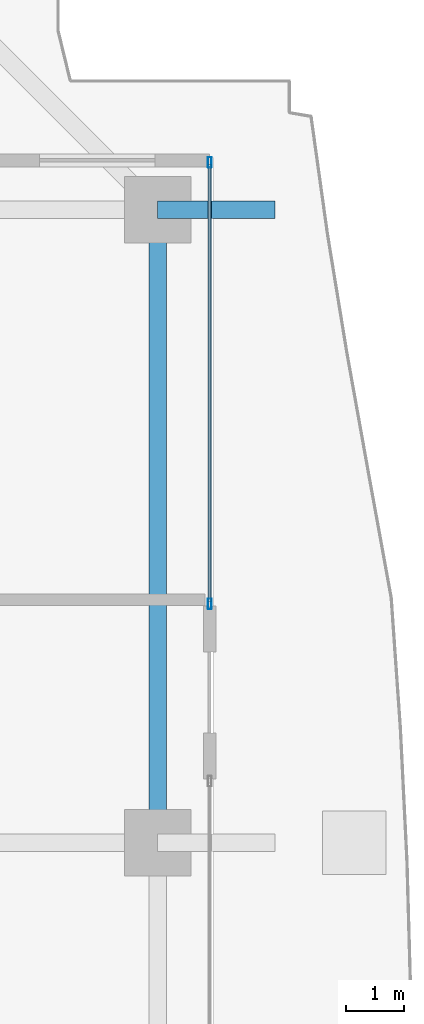
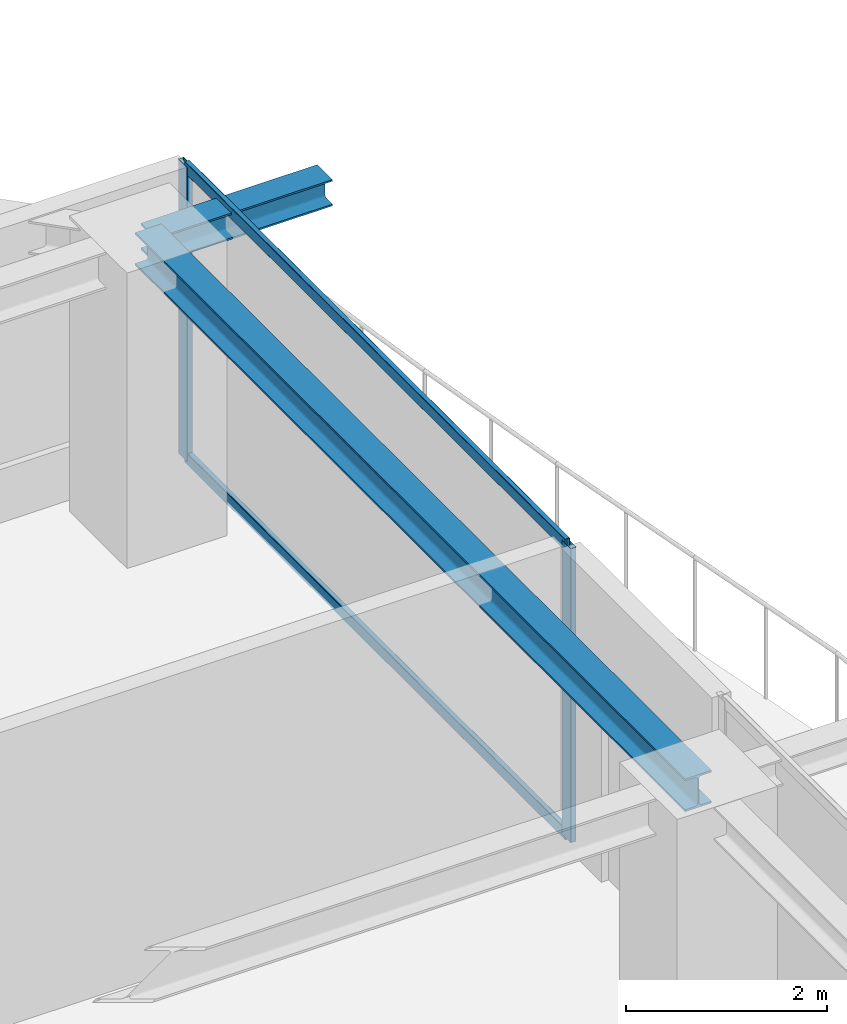
# One storey, part 23 of 37: 4 members, 2 beams, 1 element without a shape of its own.
"""IFC4 building model written with IfcOpenShell, lengths in metres."""

from ifc_helpers import new_model, si_unit, direction, frame, origin, origin_2d, place, context, subcontext, project, spatial, hollow_rectangle, i_section, extrude, source, transform, mapped, material, layer, layer_set, material_profile, profile_set, type_object, element, aggregate, save


model = new_model("IFC4")

# Units and contexts
model_context = context("Model", 3, precision=1e-05, world=origin(), true_north=direction((0.0, 1.0)))
body_context = subcontext(model_context, "Body", "Model", "MODEL_VIEW")
ifc_project = project(units=[si_unit("LENGTHUNIT", "METRE"), si_unit("AREAUNIT", "SQUARE_METRE"), si_unit("VOLUMEUNIT", "CUBIC_METRE"), si_unit("PLANEANGLEUNIT", "RADIAN"), si_unit("MASSUNIT", "GRAM", prefix="KILO")], contexts=[model_context])

# Site, building, storey
site_placement = place(None, origin())
site = spatial("IfcSite", under=ifc_project, at=site_placement, CompositionType="ELEMENT")
building_placement = place(site_placement, origin())
building = spatial("IfcBuilding", under=site, at=building_placement, Name="Serunith Strait Residences", CompositionType="ELEMENT")
storey_placement = place(building_placement, frame((0.0, 0.0, 279.75)))
storey = spatial("IfcBuildingStorey", under=building, at=storey_placement, Name="L70", CompositionType="ELEMENT", Elevation=279.75)

# Beams
ifc_material_1 = material(Name="Steel S355J2", Category="steel")
ifc_material_profile_1 = material_profile(ifc_material_1, i_section(OverallWidth=0.300048828125, OverallDepth=0.39990234375, WebThickness=0.013427734375, FlangeThickness=0.02392578125, FilletRadius=0.027099609375, at=origin_2d()), Name="HEB 400")
ifc_profile_set_1 = profile_set([ifc_material_profile_1], Name="Steel S355J2")
beam_type_1 = type_object("IfcBeamType", Name="BM-HEB400", PredefinedType="BEAM", material=ifc_profile_set_1)
shared_shape_1 = source(origin(), body_context, "Body", "SweptSolid", [
    extrude(i_section(OverallWidth=0.300048828125, OverallDepth=0.39990234375, WebThickness=0.013427734375, FlangeThickness=0.02392578125, FilletRadius=0.027099609375, at=origin_2d()), origin(), (0.0, 0.0, 1.0), 10.9501953125),
])
beam_1_placement = place(storey_placement, frame((56.5, 29.39990234375, 3.386962890625), z_axis=(0.0, 1.0, 0.0), x_axis=(-1.0, 0.0, 0.0)))
element("IfcBeam", 1, at=beam_1_placement, inside=storey, type_object=beam_type_1, Name="L70 Perimeter Ring Beam 07", PredefinedType="BEAM", context=body_context, shape_type="MappedRepresentation", body=[
    mapped(shared_shape_1, transform((0.0, 0.0, 0.0), scale=1.0)),
])
ifc_material_profile_2 = material_profile(ifc_material_1, i_section(OverallWidth=0.300048828125, OverallDepth=0.320068359375, WebThickness=0.011474609375, FlangeThickness=0.0205078125, FilletRadius=0.027099609375, at=origin_2d()), Name="HEB 320")
ifc_profile_set_2 = profile_set([ifc_material_profile_2], Name="Steel S355J2")
beam_type_2 = type_object("IfcBeamType", Name="BM-HEB320", PredefinedType="BEAM", material=ifc_profile_set_2)
shared_shape_2 = source(origin(), body_context, "Body", "SweptSolid", [
    extrude(i_section(OverallWidth=0.300048828125, OverallDepth=0.320068359375, WebThickness=0.011474609375, FlangeThickness=0.0205078125, FilletRadius=0.027099609375, at=origin_2d()), origin(), (0.0, 0.0, 1.0), 2.030029296875),
])
beam_2_placement = place(storey_placement, frame((56.5, 40.35009765625, 3.39697265625), z_axis=(1.0, 0.0, 0.0), x_axis=(0.0, 1.0, 0.0)))
element("IfcBeam", 2, at=beam_2_placement, inside=storey, type_object=beam_type_2, Name="L71 Cantilevered Balcony Rib TC-E4", PredefinedType="BEAM", context=body_context, shape_type="MappedRepresentation", body=[
    mapped(shared_shape_2, transform((0.0, 0.0, 0.0), scale=1.0)),
])

# Curtain wall, members
ifc_material_2 = material(Name="Pale-Champagne Anodised Aluminium", Category="aluminium")
ifc_layer = layer(ifc_material_2, 0.199951171875, Name="Pale-Champagne Anodised Aluminium")
ifc_layer_set = layer_set([ifc_layer], Name="Pale-Champagne Anodised Aluminium")
curtain_wall_type = type_object("IfcCurtainWallType", Name="CW-SYS4", PredefinedType="NOTDEFINED", material=ifc_layer_set)
curtain_wall_placement = place(storey_placement, origin())
curtain_wall = element("IfcCurtainWall", 3, at=curtain_wall_placement, inside=storey, type_object=curtain_wall_type, Name="L70 E Unitised Fritted Curtain Wall", PredefinedType="NOTDEFINED")
ifc_material_profile_3 = material_profile(ifc_material_2, hollow_rectangle(XDim=0.06494140625, YDim=0.179931640625, WallThickness=0.00341796875, InnerFilletRadius=0.00537109375, OuterFilletRadius=0.0087890625, at=origin_2d()), Name="ALU 180x65x3.5")
ifc_profile_set_3 = profile_set([ifc_material_profile_3], Name="Pale-Champagne Anodised Aluminium")
member_type_1 = type_object("IfcMemberType", Name="CW-SYS4-MULL", PredefinedType="MULLION", material=ifc_profile_set_3)
shared_shape_3 = source(origin(), body_context, "Body", "SweptSolid", [
    extrude(hollow_rectangle(XDim=0.06494140625, YDim=0.179931640625, WallThickness=0.00341796875, InnerFilletRadius=0.00537109375, OuterFilletRadius=0.0087890625, at=origin_2d()), origin(), (0.0, 0.0, 1.0), 3.574951171875),
])
member_1_placement = place(storey_placement, frame((57.39990234375, 33.532470703125, 0.0), z_axis=(0.0, 0.0, 1.0), x_axis=(-1.0, 0.0, 0.0)))
member_1 = element("IfcMember", 4, at=member_1_placement, type_object=member_type_1, Name="CW-4 mullion 1", PredefinedType="MULLION", context=body_context, shape_type="MappedRepresentation", body=[
    mapped(shared_shape_3, transform((0.0, 0.0, 0.0), scale=1.0)),
])
member_2_placement = place(storey_placement, frame((57.39990234375, 41.16748046875, 0.0), z_axis=(0.0, 0.0, 1.0), x_axis=(-1.0, 0.0, 0.0)))
member_2 = element("IfcMember", 5, at=member_2_placement, type_object=member_type_1, Name="CW-4 mullion 2", PredefinedType="MULLION", context=body_context, shape_type="MappedRepresentation", body=[
    mapped(shared_shape_3, transform((0.0, 0.0, 0.0), scale=1.0)),
])
ifc_material_profile_4 = material_profile(ifc_material_2, hollow_rectangle(XDim=0.06005859375, YDim=0.139892578125, WallThickness=0.00341796875, InnerFilletRadius=0.00537109375, OuterFilletRadius=0.0087890625, at=origin_2d()), Name="ALU 140x60x3.5")
ifc_profile_set_4 = profile_set([ifc_material_profile_4], Name="Pale-Champagne Anodised Aluminium")
member_type_2 = type_object("IfcMemberType", Name="CW-SYS4-TRAN", PredefinedType="USERDEFINED", material=ifc_profile_set_4)
shared_shape_4 = source(origin(), body_context, "Body", "SweptSolid", [
    extrude(hollow_rectangle(XDim=0.06005859375, YDim=0.139892578125, WallThickness=0.00341796875, InnerFilletRadius=0.00537109375, OuterFilletRadius=0.0087890625, at=origin_2d()), origin(), (0.0, 0.0, 1.0), 7.570068359375),
])
member_3_placement = place(storey_placement, frame((57.39990234375, 33.56494140625, 0.030029296875), z_axis=(0.0, 1.0, 0.0), x_axis=(-1.0, 0.0, 0.0)))
member_3 = element("IfcMember", 6, at=member_3_placement, type_object=member_type_2, Name="CW-4 transom 1.1", ObjectType="TRANSOM", PredefinedType="USERDEFINED", context=body_context, shape_type="MappedRepresentation", body=[
    mapped(shared_shape_4, transform((0.0, 0.0, 0.0), scale=1.0)),
])
member_4_placement = place(storey_placement, frame((57.39990234375, 33.56494140625, 3.544921875), z_axis=(0.0, 1.0, 0.0), x_axis=(-1.0, 0.0, 0.0)))
member_4 = element("IfcMember", 7, at=member_4_placement, type_object=member_type_2, Name="CW-4 transom 1.2", ObjectType="TRANSOM", PredefinedType="USERDEFINED", context=body_context, shape_type="MappedRepresentation", body=[
    mapped(shared_shape_4, transform((0.0, 0.0, 0.0), scale=1.0)),
])
aggregate(curtain_wall, [member_1, member_2, member_3, member_4])

save(model, "model.ifc")
